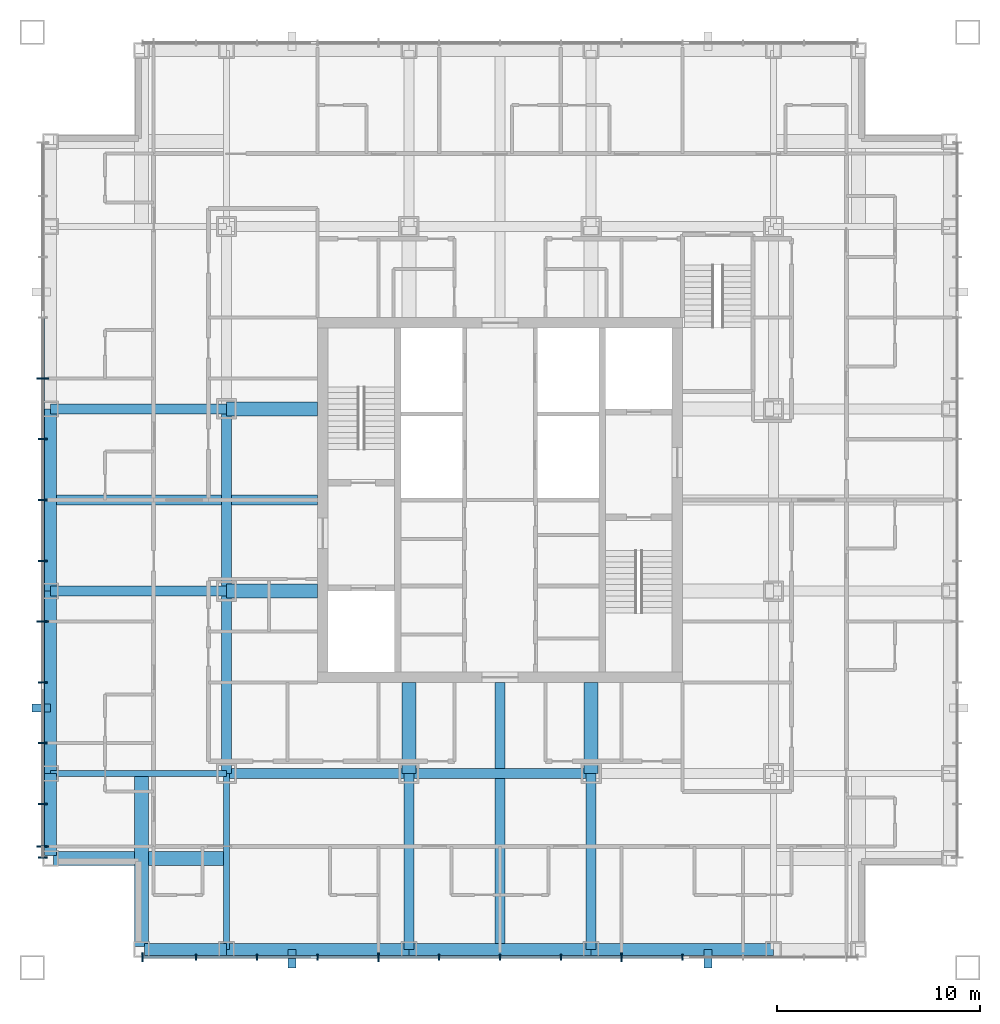
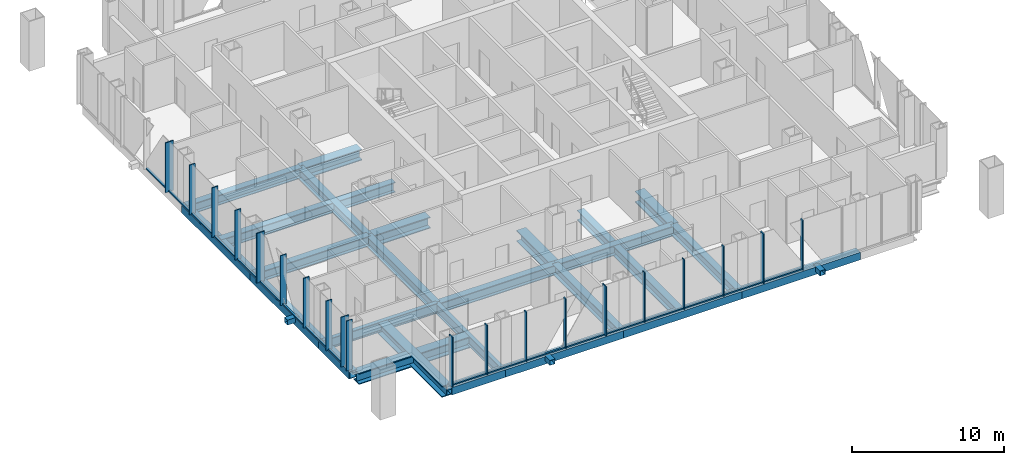
# One storey, part 2 of 21: 41 members, 25 beams, 2 elements without a shape of their own.
"""IFC4 building model written with IfcOpenShell, lengths in metres."""

from ifc_helpers import new_model, si_unit, direction, frame, origin, origin_2d, place, context, subcontext, project, spatial, rectangle, hollow_rectangle, i_section, extrude, material, layer, layer_set, material_profile, profile_set, type_object, element, aggregate, save


model = new_model("IFC4")

# Units and contexts
model_context = context("Model", 3, precision=1e-05, world=origin(), true_north=direction((0.0, 1.0)))
body_context = subcontext(model_context, "Body", "Model", "MODEL_VIEW")
ifc_project = project(units=[si_unit("LENGTHUNIT", "METRE"), si_unit("AREAUNIT", "SQUARE_METRE"), si_unit("VOLUMEUNIT", "CUBIC_METRE"), si_unit("PLANEANGLEUNIT", "RADIAN"), si_unit("MASSUNIT", "GRAM", prefix="KILO")], contexts=[model_context])

# Site, building, storey
site_placement = place(None, origin())
site = spatial("IfcSite", under=ifc_project, at=site_placement, CompositionType="ELEMENT")
building_placement = place(site_placement, origin())
building = spatial("IfcBuilding", under=site, at=building_placement, Name="Malebo Sky Hospital", CompositionType="ELEMENT")
storey_placement = place(building_placement, frame((0.0, 0.0, 229.0)))
storey = spatial("IfcBuildingStorey", under=building, at=storey_placement, Name="L55", CompositionType="ELEMENT", Elevation=229.0)

# Curtain wall, members
ifc_material_1 = material(Name="Anodised aluminium, natural silver", Category="aluminium")
ifc_layer_1 = layer(ifc_material_1, 0.25)
ifc_layer_set_1 = layer_set([ifc_layer_1], Name="WARD CURTAIN WALL EAST AND WEST")
curtain_wall_type_1 = type_object("IfcCurtainWallType", Name="WARD CURTAIN WALL EAST AND WEST", PredefinedType="NOTDEFINED", material=ifc_layer_set_1)
curtain_wall_1_placement = place(storey_placement, origin())
curtain_wall_1 = element("IfcCurtainWall", 1, at=curtain_wall_1_placement, inside=storey, type_object=curtain_wall_type_1, Name="EW curtain wall W", PredefinedType="NOTDEFINED")
ifc_material_profile_1 = material_profile(ifc_material_1, rectangle(XDim=0.14990234375, YDim=0.10009765625, at=origin_2d()), Name="ALUMINIUM TRANSOM 150x100")
ifc_profile_set_1 = profile_set([ifc_material_profile_1], Name="Anodised aluminium, natural silver")
member_type_1 = type_object("IfcMemberType", Name="ALUMINIUM TRANSOM 150x100", PredefinedType="USERDEFINED", material=ifc_profile_set_1)
member_1_placement = place(storey_placement, frame((37.425048828125, 44.9375, 0.050048828125), z_axis=(0.0, 1.0, 0.0), x_axis=(-1.0, 0.0, 0.0)))
member_1 = element("IfcMember", 2, at=member_1_placement, type_object=member_type_1, Name="Transom 2", ObjectType="TRANSOM", PredefinedType="USERDEFINED", context=body_context, shape_type="SweptSolid", body=[
    extrude(rectangle(XDim=0.14990234375, YDim=0.10009765625, at=origin_2d()), origin(), (0.0, 0.0, 1.0), 2.02490234375),
])
member_2_placement = place(storey_placement, frame((37.425048828125, 47.03759765625, 0.050048828125), z_axis=(0.0, 1.0, 0.0), x_axis=(-1.0, 0.0, 0.0)))
member_2 = element("IfcMember", 3, at=member_2_placement, type_object=member_type_1, Name="Transom 3", ObjectType="TRANSOM", PredefinedType="USERDEFINED", context=body_context, shape_type="SweptSolid", body=[
    extrude(rectangle(XDim=0.14990234375, YDim=0.10009765625, at=origin_2d()), origin(), (0.0, 0.0, 1.0), 2.9248046875),
])
member_3_placement = place(storey_placement, frame((37.425048828125, 50.03759765625, 0.050048828125), z_axis=(0.0, 1.0, 0.0), x_axis=(-1.0, 0.0, 0.0)))
member_3 = element("IfcMember", 4, at=member_3_placement, type_object=member_type_1, Name="Transom 4", ObjectType="TRANSOM", PredefinedType="USERDEFINED", context=body_context, shape_type="SweptSolid", body=[
    extrude(rectangle(XDim=0.14990234375, YDim=0.10009765625, at=origin_2d()), origin(), (0.0, 0.0, 1.0), 2.9248046875),
])
member_4_placement = place(storey_placement, frame((37.425048828125, 53.03759765625, 0.050048828125), z_axis=(0.0, 1.0, 0.0), x_axis=(-1.0, 0.0, 0.0)))
member_4 = element("IfcMember", 5, at=member_4_placement, type_object=member_type_1, Name="Transom 5", ObjectType="TRANSOM", PredefinedType="USERDEFINED", context=body_context, shape_type="SweptSolid", body=[
    extrude(rectangle(XDim=0.14990234375, YDim=0.10009765625, at=origin_2d()), origin(), (0.0, 0.0, 1.0), 2.9248046875),
])
member_5_placement = place(storey_placement, frame((37.425048828125, 56.03759765625, 0.050048828125), z_axis=(0.0, 1.0, 0.0), x_axis=(-1.0, 0.0, 0.0)))
member_5 = element("IfcMember", 6, at=member_5_placement, type_object=member_type_1, Name="Transom 6", ObjectType="TRANSOM", PredefinedType="USERDEFINED", context=body_context, shape_type="SweptSolid", body=[
    extrude(rectangle(XDim=0.14990234375, YDim=0.10009765625, at=origin_2d()), origin(), (0.0, 0.0, 1.0), 2.9248046875),
])
member_6_placement = place(storey_placement, frame((37.425048828125, 59.03759765625, 0.050048828125), z_axis=(0.0, 1.0, 0.0), x_axis=(-1.0, 0.0, 0.0)))
member_6 = element("IfcMember", 7, at=member_6_placement, type_object=member_type_1, Name="Transom 7", ObjectType="TRANSOM", PredefinedType="USERDEFINED", context=body_context, shape_type="SweptSolid", body=[
    extrude(rectangle(XDim=0.14990234375, YDim=0.10009765625, at=origin_2d()), origin(), (0.0, 0.0, 1.0), 2.9248046875),
])
member_7_placement = place(storey_placement, frame((37.425048828125, 62.03759765625, 0.050048828125), z_axis=(0.0, 1.0, 0.0), x_axis=(-1.0, 0.0, 0.0)))
member_7 = element("IfcMember", 8, at=member_7_placement, type_object=member_type_1, Name="Transom 8", ObjectType="TRANSOM", PredefinedType="USERDEFINED", context=body_context, shape_type="SweptSolid", body=[
    extrude(rectangle(XDim=0.14990234375, YDim=0.10009765625, at=origin_2d()), origin(), (0.0, 0.0, 1.0), 2.9248046875),
])
member_8_placement = place(storey_placement, frame((37.425048828125, 65.03759765625, 0.050048828125), z_axis=(0.0, 1.0, 0.0), x_axis=(-1.0, 0.0, 0.0)))
member_8 = element("IfcMember", 9, at=member_8_placement, type_object=member_type_1, Name="Transom 9", ObjectType="TRANSOM", PredefinedType="USERDEFINED", context=body_context, shape_type="SweptSolid", body=[
    extrude(rectangle(XDim=0.14990234375, YDim=0.10009765625, at=origin_2d()), origin(), (0.0, 0.0, 1.0), 2.9248046875),
])
member_9_placement = place(storey_placement, frame((37.425048828125, 68.03759765625, 0.050048828125), z_axis=(0.0, 1.0, 0.0), x_axis=(-1.0, 0.0, 0.0)))
member_9 = element("IfcMember", 10, at=member_9_placement, type_object=member_type_1, Name="Transom 10", ObjectType="TRANSOM", PredefinedType="USERDEFINED", context=body_context, shape_type="SweptSolid", body=[
    extrude(rectangle(XDim=0.14990234375, YDim=0.10009765625, at=origin_2d()), origin(), (0.0, 0.0, 1.0), 2.9248046875),
])

ifc_layer_2 = layer(ifc_material_1, 0.25)
ifc_layer_set_2 = layer_set([ifc_layer_2], Name="WARD CURTAIN WALL NORTH AND SOUTH")
curtain_wall_type_2 = type_object("IfcCurtainWallType", Name="WARD CURTAIN WALL NORTH AND SOUTH", PredefinedType="NOTDEFINED", material=ifc_layer_set_2)
curtain_wall_2_placement = place(storey_placement, origin())
curtain_wall_2 = element("IfcCurtainWall", 11, at=curtain_wall_2_placement, inside=storey, type_object=curtain_wall_type_2, Name="NS curtain wall S", PredefinedType="NOTDEFINED")
member_10_placement = place(storey_placement, frame((68.96240234375, 39.425048828125, 0.050048828125), z_axis=(-1.0, 0.0, 0.0), x_axis=(0.0, -1.0, 0.0)))
member_10 = element("IfcMember", 12, at=member_10_placement, type_object=member_type_1, Name="Transom 5", ObjectType="TRANSOM", PredefinedType="USERDEFINED", context=body_context, shape_type="SweptSolid", body=[
    extrude(rectangle(XDim=0.14990234375, YDim=0.10009765625, at=origin_2d()), origin(), (0.0, 0.0, 1.0), 2.9248046875),
])
member_11_placement = place(storey_placement, frame((65.96240234375, 39.425048828125, 0.050048828125), z_axis=(-1.0, 0.0, 0.0), x_axis=(0.0, -1.0, 0.0)))
member_11 = element("IfcMember", 13, at=member_11_placement, type_object=member_type_1, Name="Transom 6", ObjectType="TRANSOM", PredefinedType="USERDEFINED", context=body_context, shape_type="SweptSolid", body=[
    extrude(rectangle(XDim=0.14990234375, YDim=0.10009765625, at=origin_2d()), origin(), (0.0, 0.0, 1.0), 2.9248046875),
])
member_12_placement = place(storey_placement, frame((62.96240234375, 39.425048828125, 0.050048828125), z_axis=(-1.0, 0.0, 0.0), x_axis=(0.0, -1.0, 0.0)))
member_12 = element("IfcMember", 14, at=member_12_placement, type_object=member_type_1, Name="Transom 7", ObjectType="TRANSOM", PredefinedType="USERDEFINED", context=body_context, shape_type="SweptSolid", body=[
    extrude(rectangle(XDim=0.14990234375, YDim=0.10009765625, at=origin_2d()), origin(), (0.0, 0.0, 1.0), 2.9248046875),
])
member_13_placement = place(storey_placement, frame((59.96240234375, 39.425048828125, 0.050048828125), z_axis=(-1.0, 0.0, 0.0), x_axis=(0.0, -1.0, 0.0)))
member_13 = element("IfcMember", 15, at=member_13_placement, type_object=member_type_1, Name="Transom 8", ObjectType="TRANSOM", PredefinedType="USERDEFINED", context=body_context, shape_type="SweptSolid", body=[
    extrude(rectangle(XDim=0.14990234375, YDim=0.10009765625, at=origin_2d()), origin(), (0.0, 0.0, 1.0), 2.9248046875),
])
member_14_placement = place(storey_placement, frame((56.96240234375, 39.425048828125, 0.050048828125), z_axis=(-1.0, 0.0, 0.0), x_axis=(0.0, -1.0, 0.0)))
member_14 = element("IfcMember", 16, at=member_14_placement, type_object=member_type_1, Name="Transom 9", ObjectType="TRANSOM", PredefinedType="USERDEFINED", context=body_context, shape_type="SweptSolid", body=[
    extrude(rectangle(XDim=0.14990234375, YDim=0.10009765625, at=origin_2d()), origin(), (0.0, 0.0, 1.0), 2.9248046875),
])
member_15_placement = place(storey_placement, frame((53.96240234375, 39.425048828125, 0.050048828125), z_axis=(-1.0, 0.0, 0.0), x_axis=(0.0, -1.0, 0.0)))
member_15 = element("IfcMember", 17, at=member_15_placement, type_object=member_type_1, Name="Transom 10", ObjectType="TRANSOM", PredefinedType="USERDEFINED", context=body_context, shape_type="SweptSolid", body=[
    extrude(rectangle(XDim=0.14990234375, YDim=0.10009765625, at=origin_2d()), origin(), (0.0, 0.0, 1.0), 2.9248046875),
])
member_16_placement = place(storey_placement, frame((50.96240234375, 39.425048828125, 0.050048828125), z_axis=(-1.0, 0.0, 0.0), x_axis=(0.0, -1.0, 0.0)))
member_16 = element("IfcMember", 18, at=member_16_placement, type_object=member_type_1, Name="Transom 11", ObjectType="TRANSOM", PredefinedType="USERDEFINED", context=body_context, shape_type="SweptSolid", body=[
    extrude(rectangle(XDim=0.14990234375, YDim=0.10009765625, at=origin_2d()), origin(), (0.0, 0.0, 1.0), 2.9248046875),
])
member_17_placement = place(storey_placement, frame((47.96240234375, 39.425048828125, 0.050048828125), z_axis=(-1.0, 0.0, 0.0), x_axis=(0.0, -1.0, 0.0)))
member_17 = element("IfcMember", 19, at=member_17_placement, type_object=member_type_1, Name="Transom 12", ObjectType="TRANSOM", PredefinedType="USERDEFINED", context=body_context, shape_type="SweptSolid", body=[
    extrude(rectangle(XDim=0.14990234375, YDim=0.10009765625, at=origin_2d()), origin(), (0.0, 0.0, 1.0), 2.9248046875),
])
member_18_placement = place(storey_placement, frame((44.96240234375, 39.425048828125, 0.050048828125), z_axis=(-1.0, 0.0, 0.0), x_axis=(0.0, -1.0, 0.0)))
member_18 = element("IfcMember", 20, at=member_18_placement, type_object=member_type_1, Name="Transom 13", ObjectType="TRANSOM", PredefinedType="USERDEFINED", context=body_context, shape_type="SweptSolid", body=[
    extrude(rectangle(XDim=0.14990234375, YDim=0.10009765625, at=origin_2d()), origin(), (0.0, 0.0, 1.0), 2.58740234375),
])

# Members
ifc_material_2 = material(Name="Steel S355", Category="steel")
ifc_material_profile_2 = material_profile(ifc_material_2, hollow_rectangle(XDim=0.39990234375, YDim=0.39990234375, WallThickness=0.02001953125, at=origin_2d()), Name="SHS 400x20")
ifc_profile_set_2 = profile_set([ifc_material_profile_2], Name="Steel S355")
member_type_2 = type_object("IfcMemberType", Name="BRACE STRUT SHS 400x20", PredefinedType="STRUT", material=ifc_profile_set_2)
for number, where, z_axis, x_axis, name in (
    (21, (49.7333984375, 38.89990234375, -0.39990234375), (0.0, 1.0, 0.0), (-1.0, 0.0, 0.0), "Brace strut CS1 L55"),
    (22, (70.2666015625, 38.89990234375, -0.39990234375), (0.0, 1.0, 0.0), (-1.0, 0.0, 0.0), "Brace strut CS2 L55"),
    (23, (36.89990234375, 51.7333984375, -0.39990234375), (1.0, 0.0, 0.0), (0.0, 1.0, 0.0), "Brace strut CW2 L55"),
):
    element("IfcMember", number, at=place(storey_placement, frame(where, z_axis=z_axis, x_axis=x_axis)), inside=storey, type_object=member_type_2, Name=name, PredefinedType="STRUT", context=body_context, shape_type="SweptSolid", body=[
        extrude(hollow_rectangle(XDim=0.39990234375, YDim=0.39990234375, WallThickness=0.02001953125, at=origin_2d()), origin(), (0.0, 0.0, 1.0), 0.900146484375),
    ])

# Member
ifc_material_profile_3 = material_profile(ifc_material_1, rectangle(XDim=0.074951171875, YDim=0.300048828125, at=origin_2d()), Name="CW1 ALUMINIUM FIN MULLION 75x300")
ifc_profile_set_3 = profile_set([ifc_material_profile_3], Name="Anodised aluminium, natural silver")
member_type_3 = type_object("IfcMemberType", Name="CW1 ALUMINIUM FIN MULLION 75x300", PredefinedType="MULLION", material=ifc_profile_set_3)
member_19_placement = place(storey_placement, frame((69.0, 39.425048828125, 0.0), z_axis=(0.0, 0.0, 1.0), x_axis=(-1.0, 0.0, 0.0)))
member_19 = element("IfcMember", 24, at=member_19_placement, type_object=member_type_3, Name="Fin mullion 5", PredefinedType="MULLION", context=body_context, shape_type="SweptSolid", body=[
    extrude(rectangle(XDim=0.074951171875, YDim=0.300048828125, at=origin_2d()), origin(), (0.0, 0.0, 1.0), 4.0),
])

member_20_placement = place(storey_placement, frame((63.0, 39.425048828125, 0.0), z_axis=(0.0, 0.0, 1.0), x_axis=(-1.0, 0.0, 0.0)))
member_20 = element("IfcMember", 25, at=member_20_placement, type_object=member_type_3, Name="Fin mullion 7", PredefinedType="MULLION", context=body_context, shape_type="SweptSolid", body=[
    extrude(rectangle(XDim=0.074951171875, YDim=0.300048828125, at=origin_2d()), origin(), (0.0, 0.0, 1.0), 4.0),
])

member_21_placement = place(storey_placement, frame((60.0, 39.425048828125, 0.0), z_axis=(0.0, 0.0, 1.0), x_axis=(-1.0, 0.0, 0.0)))
member_21 = element("IfcMember", 26, at=member_21_placement, type_object=member_type_3, Name="Fin mullion 8", PredefinedType="MULLION", context=body_context, shape_type="SweptSolid", body=[
    extrude(rectangle(XDim=0.074951171875, YDim=0.300048828125, at=origin_2d()), origin(), (0.0, 0.0, 1.0), 4.0),
])

member_22_placement = place(storey_placement, frame((57.0, 39.425048828125, 0.0), z_axis=(0.0, 0.0, 1.0), x_axis=(-1.0, 0.0, 0.0)))
member_22 = element("IfcMember", 27, at=member_22_placement, type_object=member_type_3, Name="Fin mullion 9", PredefinedType="MULLION", context=body_context, shape_type="SweptSolid", body=[
    extrude(rectangle(XDim=0.074951171875, YDim=0.300048828125, at=origin_2d()), origin(), (0.0, 0.0, 1.0), 4.0),
])

member_23_placement = place(storey_placement, frame((51.0, 39.425048828125, 0.0), z_axis=(0.0, 0.0, 1.0), x_axis=(-1.0, 0.0, 0.0)))
member_23 = element("IfcMember", 28, at=member_23_placement, type_object=member_type_3, Name="Fin mullion 11", PredefinedType="MULLION", context=body_context, shape_type="SweptSolid", body=[
    extrude(rectangle(XDim=0.074951171875, YDim=0.300048828125, at=origin_2d()), origin(), (0.0, 0.0, 1.0), 4.0),
])

member_24_placement = place(storey_placement, frame((48.0, 39.425048828125, 0.0), z_axis=(0.0, 0.0, 1.0), x_axis=(-1.0, 0.0, 0.0)))
member_24 = element("IfcMember", 29, at=member_24_placement, type_object=member_type_3, Name="Fin mullion 12", PredefinedType="MULLION", context=body_context, shape_type="SweptSolid", body=[
    extrude(rectangle(XDim=0.074951171875, YDim=0.300048828125, at=origin_2d()), origin(), (0.0, 0.0, 1.0), 4.0),
])

member_25_placement = place(storey_placement, frame((45.0, 39.425048828125, 0.0), z_axis=(0.0, 0.0, 1.0), x_axis=(-1.0, 0.0, 0.0)))
member_25 = element("IfcMember", 30, at=member_25_placement, type_object=member_type_3, Name="Fin mullion 13", PredefinedType="MULLION", context=body_context, shape_type="SweptSolid", body=[
    extrude(rectangle(XDim=0.074951171875, YDim=0.300048828125, at=origin_2d()), origin(), (0.0, 0.0, 1.0), 4.0),
])

ifc_material_profile_4 = material_profile(ifc_material_1, rectangle(XDim=0.074951171875, YDim=0.449951171875, at=origin_2d()), Name="CW1 ALUMINIUM FIN MULLION 75x450")
ifc_profile_set_4 = profile_set([ifc_material_profile_4], Name="Anodised aluminium, natural silver")
member_type_4 = type_object("IfcMemberType", Name="CW1 ALUMINIUM FIN MULLION 75x450", PredefinedType="MULLION", material=ifc_profile_set_4)
member_26_placement = place(storey_placement, frame((66.0, 39.425048828125, 0.0), z_axis=(0.0, 0.0, 1.0), x_axis=(-1.0, 0.0, 0.0)))
member_26 = element("IfcMember", 31, at=member_26_placement, type_object=member_type_4, Name="Fin mullion 6", PredefinedType="MULLION", context=body_context, shape_type="SweptSolid", body=[
    extrude(rectangle(XDim=0.074951171875, YDim=0.449951171875, at=origin_2d()), origin(), (0.0, 0.0, 1.0), 4.0),
])

member_27_placement = place(storey_placement, frame((54.0, 39.425048828125, 0.0), z_axis=(0.0, 0.0, 1.0), x_axis=(-1.0, 0.0, 0.0)))
member_27 = element("IfcMember", 32, at=member_27_placement, type_object=member_type_4, Name="Fin mullion 10", PredefinedType="MULLION", context=body_context, shape_type="SweptSolid", body=[
    extrude(rectangle(XDim=0.074951171875, YDim=0.449951171875, at=origin_2d()), origin(), (0.0, 0.0, 1.0), 4.0),
])

member_28_placement = place(storey_placement, frame((42.33740234375, 39.425048828125, 0.0), z_axis=(0.0, 0.0, 1.0), x_axis=(-1.0, 0.0, 0.0)))
member_28 = element("IfcMember", 33, at=member_28_placement, type_object=member_type_4, Name="Fin mullion 14", PredefinedType="MULLION", context=body_context, shape_type="SweptSolid", body=[
    extrude(rectangle(XDim=0.074951171875, YDim=0.449951171875, at=origin_2d()), origin(), (0.0, 0.0, 1.0), 4.0),
])

aggregate(curtain_wall_2, [member_19, member_26, member_20, member_21, member_22, member_27, member_23, member_24, member_25, member_28, member_10, member_11, member_12, member_13, member_14, member_15, member_16, member_17, member_18])

ifc_material_profile_5 = material_profile(ifc_material_1, rectangle(XDim=0.074951171875, YDim=0.449951171875, at=origin_2d()), Name="CW2 ALUMINIUM FIN MULLION 75x450")
ifc_profile_set_5 = profile_set([ifc_material_profile_5], Name="Anodised aluminium, natural silver")
member_type_5 = type_object("IfcMemberType", Name="CW2 ALUMINIUM FIN MULLION 75x450", PredefinedType="MULLION", material=ifc_profile_set_5)
member_29_placement = place(storey_placement, frame((37.425048828125, 44.33740234375, 0.0), z_axis=(0.0, 0.0, 1.0), x_axis=(0.0, 1.0, 0.0)))
member_29 = element("IfcMember", 34, at=member_29_placement, type_object=member_type_5, Name="Fin mullion 1", PredefinedType="MULLION", context=body_context, shape_type="SweptSolid", body=[
    extrude(rectangle(XDim=0.074951171875, YDim=0.449951171875, at=origin_2d()), origin(), (0.0, 0.0, 1.0), 4.0),
])

member_30_placement = place(storey_placement, frame((37.425048828125, 47.0, 0.0), z_axis=(0.0, 0.0, 1.0), x_axis=(0.0, 1.0, 0.0)))
member_30 = element("IfcMember", 35, at=member_30_placement, type_object=member_type_5, Name="Fin mullion 3", PredefinedType="MULLION", context=body_context, shape_type="SweptSolid", body=[
    extrude(rectangle(XDim=0.074951171875, YDim=0.449951171875, at=origin_2d()), origin(), (0.0, 0.0, 1.0), 4.0),
])

member_31_placement = place(storey_placement, frame((37.425048828125, 50.0, 0.0), z_axis=(0.0, 0.0, 1.0), x_axis=(0.0, 1.0, 0.0)))
member_31 = element("IfcMember", 36, at=member_31_placement, type_object=member_type_5, Name="Fin mullion 4", PredefinedType="MULLION", context=body_context, shape_type="SweptSolid", body=[
    extrude(rectangle(XDim=0.074951171875, YDim=0.449951171875, at=origin_2d()), origin(), (0.0, 0.0, 1.0), 4.0),
])

member_32_placement = place(storey_placement, frame((37.425048828125, 53.0, 0.0), z_axis=(0.0, 0.0, 1.0), x_axis=(0.0, 1.0, 0.0)))
member_32 = element("IfcMember", 37, at=member_32_placement, type_object=member_type_5, Name="Fin mullion 5", PredefinedType="MULLION", context=body_context, shape_type="SweptSolid", body=[
    extrude(rectangle(XDim=0.074951171875, YDim=0.449951171875, at=origin_2d()), origin(), (0.0, 0.0, 1.0), 4.0),
])

member_33_placement = place(storey_placement, frame((37.425048828125, 59.0, 0.0), z_axis=(0.0, 0.0, 1.0), x_axis=(0.0, 1.0, 0.0)))
member_33 = element("IfcMember", 38, at=member_33_placement, type_object=member_type_5, Name="Fin mullion 7", PredefinedType="MULLION", context=body_context, shape_type="SweptSolid", body=[
    extrude(rectangle(XDim=0.074951171875, YDim=0.449951171875, at=origin_2d()), origin(), (0.0, 0.0, 1.0), 4.0),
])

member_34_placement = place(storey_placement, frame((37.425048828125, 62.0, 0.0), z_axis=(0.0, 0.0, 1.0), x_axis=(0.0, 1.0, 0.0)))
member_34 = element("IfcMember", 39, at=member_34_placement, type_object=member_type_5, Name="Fin mullion 8", PredefinedType="MULLION", context=body_context, shape_type="SweptSolid", body=[
    extrude(rectangle(XDim=0.074951171875, YDim=0.449951171875, at=origin_2d()), origin(), (0.0, 0.0, 1.0), 4.0),
])

member_35_placement = place(storey_placement, frame((37.425048828125, 65.0, 0.0), z_axis=(0.0, 0.0, 1.0), x_axis=(0.0, 1.0, 0.0)))
member_35 = element("IfcMember", 40, at=member_35_placement, type_object=member_type_5, Name="Fin mullion 9", PredefinedType="MULLION", context=body_context, shape_type="SweptSolid", body=[
    extrude(rectangle(XDim=0.074951171875, YDim=0.449951171875, at=origin_2d()), origin(), (0.0, 0.0, 1.0), 4.0),
])

ifc_material_profile_6 = material_profile(ifc_material_1, rectangle(XDim=0.074951171875, YDim=0.60009765625, at=origin_2d()), Name="CW2 ALUMINIUM FIN MULLION 75x600")
ifc_profile_set_6 = profile_set([ifc_material_profile_6], Name="Anodised aluminium, natural silver")
member_type_6 = type_object("IfcMemberType", Name="CW2 ALUMINIUM FIN MULLION 75x600", PredefinedType="MULLION", material=ifc_profile_set_6)
member_36_placement = place(storey_placement, frame((37.425048828125, 44.89990234375, 0.0), z_axis=(0.0, 0.0, 1.0), x_axis=(0.0, 1.0, 0.0)))
member_36 = element("IfcMember", 41, at=member_36_placement, type_object=member_type_6, Name="Fin mullion 2", PredefinedType="MULLION", context=body_context, shape_type="SweptSolid", body=[
    extrude(rectangle(XDim=0.074951171875, YDim=0.60009765625, at=origin_2d()), origin(), (0.0, 0.0, 1.0), 4.0),
])

member_37_placement = place(storey_placement, frame((37.425048828125, 56.0, 0.0), z_axis=(0.0, 0.0, 1.0), x_axis=(0.0, 1.0, 0.0)))
member_37 = element("IfcMember", 42, at=member_37_placement, type_object=member_type_6, Name="Fin mullion 6", PredefinedType="MULLION", context=body_context, shape_type="SweptSolid", body=[
    extrude(rectangle(XDim=0.074951171875, YDim=0.60009765625, at=origin_2d()), origin(), (0.0, 0.0, 1.0), 4.0),
])

member_38_placement = place(storey_placement, frame((37.425048828125, 68.0, 0.0), z_axis=(0.0, 0.0, 1.0), x_axis=(0.0, 1.0, 0.0)))
member_38 = element("IfcMember", 43, at=member_38_placement, type_object=member_type_6, Name="Fin mullion 10", PredefinedType="MULLION", context=body_context, shape_type="SweptSolid", body=[
    extrude(rectangle(XDim=0.074951171875, YDim=0.60009765625, at=origin_2d()), origin(), (0.0, 0.0, 1.0), 4.0),
])

aggregate(curtain_wall_1, [member_29, member_36, member_30, member_31, member_32, member_37, member_33, member_34, member_35, member_38, member_1, member_2, member_3, member_4, member_5, member_6, member_7, member_8, member_9])

# Beams
ifc_material_3 = material(Name="Steel S460", Category="steel")
ifc_material_profile_7 = material_profile(ifc_material_3, hollow_rectangle(XDim=0.60009765625, YDim=0.60009765625, WallThickness=0.0400390625, at=origin_2d()), Name="BOX 600x600x40")
ifc_profile_set_7 = profile_set([ifc_material_profile_7], Name="Steel S460")
beam_type_1 = type_object("IfcBeamType", Name="EDGE BEAM BOX 600x600x40", PredefinedType="BEAM", material=ifc_profile_set_7)
beam_1_placement = place(storey_placement, frame((37.800048828125, 44.449951171875, -0.550048828125), z_axis=(0.0, 1.0, 0.0), x_axis=(-1.0, 0.0, 0.0)))
element("IfcBeam", 44, at=beam_1_placement, inside=storey, type_object=beam_type_1, Name="Beam 000 L55", PredefinedType="BEAM", context=body_context, shape_type="SweptSolid", body=[
    extrude(hollow_rectangle(XDim=0.60009765625, YDim=0.60009765625, WallThickness=0.0400390625, at=origin_2d()), origin(), (0.0, 0.0, 1.0), 4.050048828125),
])
for number, where, z_axis, x_axis, name in (
    (45, (37.800048828125, 48.5, -0.550048828125), (0.0, 1.0, 0.0), (-1.0, 0.0, 0.0), "Beam 001 L55"),
    (46, (37.800048828125, 57.5, -0.550048828125), (0.0, 1.0, 0.0), (-1.0, 0.0, 0.0), "Beam 002 L55"),
):
    element("IfcBeam", number, at=place(storey_placement, frame(where, z_axis=z_axis, x_axis=x_axis)), inside=storey, type_object=beam_type_1, Name=name, PredefinedType="BEAM", context=body_context, shape_type="SweptSolid", body=[
        extrude(hollow_rectangle(XDim=0.60009765625, YDim=0.60009765625, WallThickness=0.0400390625, at=origin_2d()), origin(), (0.0, 0.0, 1.0), 9.0),
    ])
beam_2_placement = place(storey_placement, frame((42.449951171875, 39.800048828125, -0.550048828125), z_axis=(1.0, 0.0, 0.0), x_axis=(0.0, 1.0, 0.0)))
element("IfcBeam", 47, at=beam_2_placement, inside=storey, type_object=beam_type_1, Name="Beam 034 L55", PredefinedType="BEAM", context=body_context, shape_type="SweptSolid", body=[
    extrude(hollow_rectangle(XDim=0.60009765625, YDim=0.60009765625, WallThickness=0.0400390625, at=origin_2d()), origin(), (0.0, 0.0, 1.0), 4.050048828125),
])
for number, where, z_axis, x_axis, name in (
    (48, (46.5, 39.800048828125, -0.550048828125), (1.0, 0.0, 0.0), (0.0, 1.0, 0.0), "Beam 035 L55"),
    (49, (55.5, 39.800048828125, -0.550048828125), (1.0, 0.0, 0.0), (0.0, 1.0, 0.0), "Beam 036 L55"),
    (50, (64.5, 39.800048828125, -0.550048828125), (1.0, 0.0, 0.0), (0.0, 1.0, 0.0), "Beam 037 L55"),
):
    element("IfcBeam", number, at=place(storey_placement, frame(where, z_axis=z_axis, x_axis=x_axis)), inside=storey, type_object=beam_type_1, Name=name, PredefinedType="BEAM", context=body_context, shape_type="SweptSolid", body=[
        extrude(hollow_rectangle(XDim=0.60009765625, YDim=0.60009765625, WallThickness=0.0400390625, at=origin_2d()), origin(), (0.0, 0.0, 1.0), 9.0),
    ])
ifc_material_profile_8 = material_profile(ifc_material_2, i_section(OverallWidth=0.5, OverallDepth=0.800048828125, WebThickness=0.030029296875, FlangeThickness=0.050048828125, at=origin_2d()), Name="PG 800x500x30x50")
ifc_profile_set_8 = profile_set([ifc_material_profile_8], Name="Steel S355")
beam_type_2 = type_object("IfcBeamType", Name="FLOOR BEAM PG 800x500x30x50", PredefinedType="BEAM", material=ifc_profile_set_8)
beam_3_placement = place(storey_placement, frame((46.5, 48.5, -0.64990234375), z_axis=(0.0, 1.0, 0.0), x_axis=(-1.0, 0.0, 0.0)))
element("IfcBeam", 51, at=beam_3_placement, inside=storey, type_object=beam_type_2, Name="Beam 008 L55", PredefinedType="BEAM", context=body_context, shape_type="SweptSolid", body=[
    extrude(i_section(OverallWidth=0.5, OverallDepth=0.800048828125, WebThickness=0.030029296875, FlangeThickness=0.050048828125, at=origin_2d()), origin(), (0.0, 0.0, 1.0), 9.0),
])
beam_4_placement = place(storey_placement, frame((55.5, 39.800048828125, -0.64990234375), z_axis=(0.0, 1.0, 0.0), x_axis=(-1.0, 0.0, 0.0)))
element("IfcBeam", 52, at=beam_4_placement, inside=storey, type_object=beam_type_2, Name="Beam 012 L55", PredefinedType="BEAM", context=body_context, shape_type="SweptSolid", body=[
    extrude(i_section(OverallWidth=0.5, OverallDepth=0.800048828125, WebThickness=0.030029296875, FlangeThickness=0.050048828125, at=origin_2d()), origin(), (0.0, 0.0, 1.0), 8.699951171875),
])
beam_5_placement = place(storey_placement, frame((60.0, 39.800048828125, -0.64990234375), z_axis=(0.0, 1.0, 0.0), x_axis=(-1.0, 0.0, 0.0)))
element("IfcBeam", 53, at=beam_5_placement, inside=storey, type_object=beam_type_2, Name="Beam 016 L55", PredefinedType="BEAM", context=body_context, shape_type="SweptSolid", body=[
    extrude(i_section(OverallWidth=0.5, OverallDepth=0.800048828125, WebThickness=0.030029296875, FlangeThickness=0.050048828125, at=origin_2d()), origin(), (0.0, 0.0, 1.0), 13.199951171875),
])
beam_6_placement = place(storey_placement, frame((64.5, 39.800048828125, -0.64990234375), z_axis=(0.0, 1.0, 0.0), x_axis=(-1.0, 0.0, 0.0)))
element("IfcBeam", 54, at=beam_6_placement, inside=storey, type_object=beam_type_2, Name="Beam 018 L55", PredefinedType="BEAM", context=body_context, shape_type="SweptSolid", body=[
    extrude(i_section(OverallWidth=0.5, OverallDepth=0.800048828125, WebThickness=0.030029296875, FlangeThickness=0.050048828125, at=origin_2d()), origin(), (0.0, 0.0, 1.0), 8.699951171875),
])
beam_7_placement = place(storey_placement, frame((46.5, 48.5, -0.64990234375), z_axis=(1.0, 0.0, 0.0), x_axis=(0.0, 1.0, 0.0)))
element("IfcBeam", 55, at=beam_7_placement, inside=storey, type_object=beam_type_2, Name="Beam 042 L55", PredefinedType="BEAM", context=body_context, shape_type="SweptSolid", body=[
    extrude(i_section(OverallWidth=0.5, OverallDepth=0.800048828125, WebThickness=0.030029296875, FlangeThickness=0.050048828125, at=origin_2d()), origin(), (0.0, 0.0, 1.0), 9.0),
])
beam_8_placement = place(storey_placement, frame((37.800048828125, 57.5, -0.64990234375), z_axis=(1.0, 0.0, 0.0), x_axis=(0.0, 1.0, 0.0)))
element("IfcBeam", 56, at=beam_8_placement, inside=storey, type_object=beam_type_2, Name="Beam 046 L55", PredefinedType="BEAM", context=body_context, shape_type="SweptSolid", body=[
    extrude(i_section(OverallWidth=0.5, OverallDepth=0.800048828125, WebThickness=0.030029296875, FlangeThickness=0.050048828125, at=origin_2d()), origin(), (0.0, 0.0, 1.0), 8.699951171875),
])
beam_9_placement = place(storey_placement, frame((37.800048828125, 62.0, -0.64990234375), z_axis=(1.0, 0.0, 0.0), x_axis=(0.0, 1.0, 0.0)))
element("IfcBeam", 57, at=beam_9_placement, inside=storey, type_object=beam_type_2, Name="Beam 050 L55", PredefinedType="BEAM", context=body_context, shape_type="SweptSolid", body=[
    extrude(i_section(OverallWidth=0.5, OverallDepth=0.800048828125, WebThickness=0.030029296875, FlangeThickness=0.050048828125, at=origin_2d()), origin(), (0.0, 0.0, 1.0), 13.199951171875),
])
beam_10_placement = place(storey_placement, frame((37.800048828125, 66.5, -0.64990234375), z_axis=(1.0, 0.0, 0.0), x_axis=(0.0, 1.0, 0.0)))
element("IfcBeam", 58, at=beam_10_placement, inside=storey, type_object=beam_type_2, Name="Beam 052 L55", PredefinedType="BEAM", context=body_context, shape_type="SweptSolid", body=[
    extrude(i_section(OverallWidth=0.5, OverallDepth=0.800048828125, WebThickness=0.030029296875, FlangeThickness=0.050048828125, at=origin_2d()), origin(), (0.0, 0.0, 1.0), 8.699951171875),
])
ifc_material_profile_9 = material_profile(ifc_material_2, i_section(OverallWidth=0.699951171875, OverallDepth=0.89990234375, WebThickness=0.0400390625, FlangeThickness=0.070068359375, at=origin_2d()), Name="PG 900x700x40x70")
ifc_profile_set_9 = profile_set([ifc_material_profile_9], Name="Steel S355")
beam_type_3 = type_object("IfcBeamType", Name="FLOOR BEAM PG 900x700x40x70", PredefinedType="BEAM", material=ifc_profile_set_9)
beam_11_placement = place(storey_placement, frame((42.300048828125, 39.949951171875, -0.699951171875), z_axis=(0.0, 1.0, 0.0), x_axis=(-1.0, 0.0, 0.0)))
element("IfcBeam", 59, at=beam_11_placement, inside=storey, type_object=beam_type_3, Name="Beam 005 L55", PredefinedType="BEAM", context=body_context, shape_type="SweptSolid", body=[
    extrude(i_section(OverallWidth=0.699951171875, OverallDepth=0.89990234375, WebThickness=0.0400390625, FlangeThickness=0.070068359375, at=origin_2d()), origin(), (0.0, 0.0, 1.0), 8.550048828125),
])
for number, where, z_axis, x_axis, name in (
    (60, (55.5, 48.5, -0.699951171875), (0.0, 1.0, 0.0), (-1.0, 0.0, 0.0), "Beam 013 L55"),
    (61, (64.5, 48.5, -0.699951171875), (0.0, 1.0, 0.0), (-1.0, 0.0, 0.0), "Beam 019 L55"),
):
    element("IfcBeam", number, at=place(storey_placement, frame(where, z_axis=z_axis, x_axis=x_axis)), inside=storey, type_object=beam_type_3, Name=name, PredefinedType="BEAM", context=body_context, shape_type="SweptSolid", body=[
        extrude(i_section(OverallWidth=0.699951171875, OverallDepth=0.89990234375, WebThickness=0.0400390625, FlangeThickness=0.070068359375, at=origin_2d()), origin(), (0.0, 0.0, 1.0), 4.5),
    ])
beam_12_placement = place(storey_placement, frame((37.949951171875, 44.300048828125, -0.699951171875), z_axis=(1.0, 0.0, 0.0), x_axis=(0.0, 1.0, 0.0)))
element("IfcBeam", 62, at=beam_12_placement, inside=storey, type_object=beam_type_3, Name="Beam 039 L55", PredefinedType="BEAM", context=body_context, shape_type="SweptSolid", body=[
    extrude(i_section(OverallWidth=0.699951171875, OverallDepth=0.89990234375, WebThickness=0.0400390625, FlangeThickness=0.070068359375, at=origin_2d()), origin(), (0.0, 0.0, 1.0), 8.550048828125),
])
for number, where, z_axis, x_axis, name in (
    (63, (46.5, 57.5, -0.699951171875), (1.0, 0.0, 0.0), (0.0, 1.0, 0.0), "Beam 047 L55"),
    (64, (46.5, 66.5, -0.699951171875), (1.0, 0.0, 0.0), (0.0, 1.0, 0.0), "Beam 053 L55"),
):
    element("IfcBeam", number, at=place(storey_placement, frame(where, z_axis=z_axis, x_axis=x_axis)), inside=storey, type_object=beam_type_3, Name=name, PredefinedType="BEAM", context=body_context, shape_type="SweptSolid", body=[
        extrude(i_section(OverallWidth=0.699951171875, OverallDepth=0.89990234375, WebThickness=0.0400390625, FlangeThickness=0.070068359375, at=origin_2d()), origin(), (0.0, 0.0, 1.0), 4.5),
    ])
ifc_material_profile_10 = material_profile(ifc_material_2, i_section(OverallWidth=0.300048828125, OverallDepth=0.800048828125, WebThickness=0.017578125, FlangeThickness=0.032958984375, FilletRadius=0.030029296875, at=origin_2d()), Name="HEB 800")
ifc_profile_set_10 = profile_set([ifc_material_profile_10], Name="Steel S355")
beam_type_4 = type_object("IfcBeamType", Name="FLOOR GIRDER HEB 800", PredefinedType="BEAM", material=ifc_profile_set_10)
for number, where, z_axis, x_axis, name in (
    (65, (46.5, 39.800048828125, -0.64990234375), (0.0, 1.0, 0.0), (-1.0, 0.0, 0.0), "Beam 007 L55"),
    (66, (37.800048828125, 48.5, -0.64990234375), (1.0, 0.0, 0.0), (0.0, 1.0, 0.0), "Beam 041 L55"),
):
    element("IfcBeam", number, at=place(storey_placement, frame(where, z_axis=z_axis, x_axis=x_axis)), inside=storey, type_object=beam_type_4, Name=name, PredefinedType="BEAM", context=body_context, shape_type="SweptSolid", body=[
        extrude(i_section(OverallWidth=0.300048828125, OverallDepth=0.800048828125, WebThickness=0.017578125, FlangeThickness=0.032958984375, FilletRadius=0.030029296875, at=origin_2d()), origin(), (0.0, 0.0, 1.0), 8.699951171875),
    ])
ifc_material_profile_11 = material_profile(ifc_material_2, i_section(OverallWidth=0.5, OverallDepth=0.800048828125, WebThickness=0.030029296875, FlangeThickness=0.050048828125, at=origin_2d()), Name="PG 800x500x30x50")
ifc_profile_set_11 = profile_set([ifc_material_profile_11], Name="Steel S355")
beam_type_5 = type_object("IfcBeamType", Name="RING GIRDER PG 800x500x30x50", PredefinedType="BEAM", material=ifc_profile_set_11)
for number, where, z_axis, x_axis, name in (
    (67, (46.5, 57.5, -0.64990234375), (0.0, 1.0, 0.0), (-1.0, 0.0, 0.0), "Beam 009 L55"),
    (68, (55.5, 48.5, -0.64990234375), (1.0, 0.0, 0.0), (0.0, 1.0, 0.0), "Beam 043 L55"),
):
    element("IfcBeam", number, at=place(storey_placement, frame(where, z_axis=z_axis, x_axis=x_axis)), inside=storey, type_object=beam_type_5, Name=name, PredefinedType="BEAM", context=body_context, shape_type="SweptSolid", body=[
        extrude(i_section(OverallWidth=0.5, OverallDepth=0.800048828125, WebThickness=0.030029296875, FlangeThickness=0.050048828125, at=origin_2d()), origin(), (0.0, 0.0, 1.0), 9.0),
    ])

save(model, "model.ifc")
